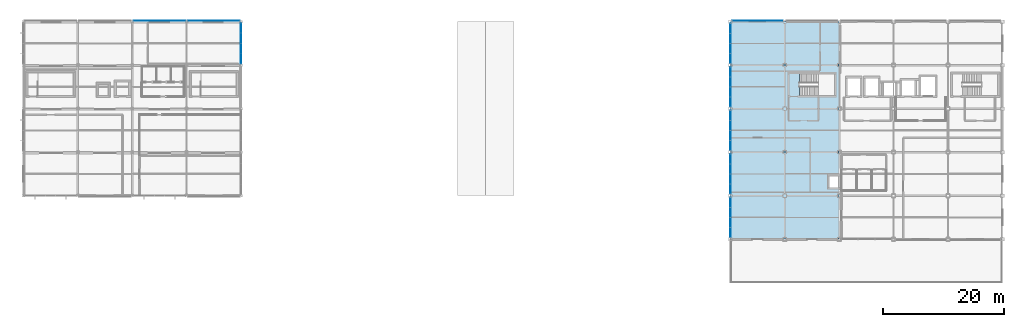
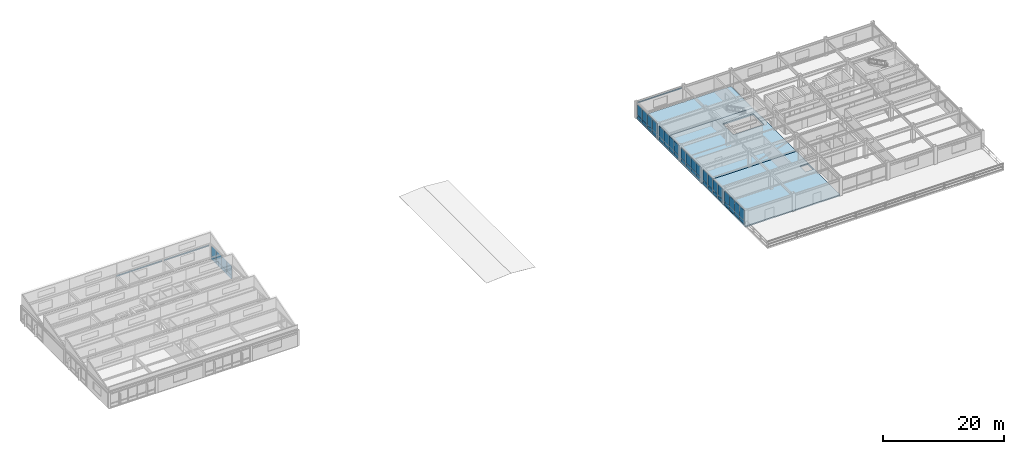
# One storey, part 33 of 43: 51 plates, 3 slabs, 6 elements without a shape of their own.
"""IFC4 building model written with IfcOpenShell, lengths in metres."""

from ifc_helpers import new_model, si_unit, direction, frame, origin, origin_2d, place, context, subcontext, project, spatial, polyline, rectangle, outline, extrude, material, layer, layer_set, type_object, element, aggregate, save


model = new_model("IFC4")

# Units and contexts
model_context = context("Model", 3, precision=1e-05, world=origin(), true_north=direction((0.0, 1.0)))
body_context = subcontext(model_context, "Body", "Model", "MODEL_VIEW")
ifc_project = project(units=[si_unit("LENGTHUNIT", "METRE"), si_unit("AREAUNIT", "SQUARE_METRE"), si_unit("VOLUMEUNIT", "CUBIC_METRE"), si_unit("PLANEANGLEUNIT", "RADIAN"), si_unit("MASSUNIT", "GRAM", prefix="KILO")], contexts=[model_context])

# Site, building, storey
site_placement = place(None, origin())
site = spatial("IfcSite", under=ifc_project, at=site_placement, CompositionType="ELEMENT")
building_placement = place(site_placement, origin())
building = spatial("IfcBuilding", under=site, at=building_placement, Name="Kazanami Central Library", CompositionType="ELEMENT")
storey_placement = place(building_placement, frame((0.0, 0.0, 20.60009765625)))
storey = spatial("IfcBuildingStorey", under=building, at=storey_placement, Name="L06", CompositionType="ELEMENT", Elevation=20.60009765625)

# Curtain wall, plates
ifc_material_1 = material(Name="Acid-Etched Low-E Laminated Glass", Category="glass")
curtain_wall_type_1 = type_object("IfcCurtainWallType", Name="CW-6850x2780-M180", PredefinedType="USERDEFINED", material=ifc_material_1)
curtain_wall_1_placement = place(storey_placement, origin())
curtain_wall_1 = element("IfcCurtainWall", 1, at=curtain_wall_1_placement, inside=storey, type_object=curtain_wall_type_1, Name="Covered Link Bridge Curtain Wall CW-58 L06 E-5-12", ObjectType="UNITISED CURTAIN WALL", PredefinedType="USERDEFINED")
ifc_material_2 = material(Name="Low-E Insulated Triple Glass", Category="glass")
ifc_layer_1 = layer(ifc_material_2, 0.0400390625, Name="Low-E Insulated Triple Glass")
ifc_layer_set_1 = layer_set([ifc_layer_1], Name="Low-E Insulated Triple Glass")
plate_type_1 = type_object("IfcPlateType", Name="PLT-CW-P3", PredefinedType="CURTAIN_PANEL", material=ifc_layer_set_1)
plate_1_placement = place(storey_placement, frame((36.0, 92.5537109375, 0.81005859375), z_axis=(0.0, 0.0, 1.0), x_axis=(0.0, -1.0, 0.0)))
plate_1 = element("IfcPlate", 2, at=plate_1_placement, type_object=plate_type_1, Name="CW-58 panel 1.2", PredefinedType="CURTAIN_PANEL", context=body_context, shape_type="SweptSolid", body=[
    extrude(rectangle(XDim=1.62255859375, YDim=0.0400390625, at=origin_2d()), origin(), (0.0, 0.0, 1.0), 1.909912109375),
])
plate_2_placement = place(storey_placement, frame((36.0, 90.856201171875, 0.81005859375), z_axis=(0.0, 0.0, 1.0), x_axis=(0.0, -1.0, 0.0)))
plate_2 = element("IfcPlate", 3, at=plate_2_placement, type_object=plate_type_1, Name="CW-58 panel 2.2", PredefinedType="CURTAIN_PANEL", context=body_context, shape_type="SweptSolid", body=[
    extrude(rectangle(XDim=1.652587890625, YDim=0.0400390625, at=origin_2d()), origin(), (0.0, 0.0, 1.0), 1.909912109375),
])
plate_3_placement = place(storey_placement, frame((36.0, 89.143798828125, 0.81005859375), z_axis=(0.0, 0.0, 1.0), x_axis=(0.0, -1.0, 0.0)))
plate_3 = element("IfcPlate", 4, at=plate_3_placement, type_object=plate_type_1, Name="CW-58 panel 3.2", PredefinedType="CURTAIN_PANEL", context=body_context, shape_type="SweptSolid", body=[
    extrude(rectangle(XDim=1.652587890625, YDim=0.0400390625, at=origin_2d()), origin(), (0.0, 0.0, 1.0), 1.909912109375),
])
plate_4_placement = place(storey_placement, frame((36.0, 87.4462890625, 0.81005859375), z_axis=(0.0, 0.0, 1.0), x_axis=(0.0, -1.0, 0.0)))
plate_4 = element("IfcPlate", 5, at=plate_4_placement, type_object=plate_type_1, Name="CW-58 panel 4.2", PredefinedType="CURTAIN_PANEL", context=body_context, shape_type="SweptSolid", body=[
    extrude(rectangle(XDim=1.62255859375, YDim=0.0400390625, at=origin_2d()), origin(), (0.0, 0.0, 1.0), 1.909912109375),
])

curtain_wall_type_2 = type_object("IfcCurtainWallType", Name="CW-6650x2960-M180", PredefinedType="USERDEFINED", material=ifc_material_1)
curtain_wall_2_placement = place(storey_placement, origin())
curtain_wall_2 = element("IfcCurtainWall", 6, at=curtain_wall_2_placement, inside=storey, type_object=curtain_wall_type_2, Name="Covered Link Bridge Curtain Wall CW-59 L06 W-14-08", ObjectType="UNITISED CURTAIN WALL", PredefinedType="USERDEFINED")
plate_5_placement = place(storey_placement, frame((117.0, 58.72119140625, 0.81005859375), z_axis=(0.0, 0.0, 1.0), x_axis=(0.0, 1.0, 0.0)))
plate_5 = element("IfcPlate", 7, at=plate_5_placement, type_object=plate_type_1, Name="CW-59 panel 1.2", PredefinedType="CURTAIN_PANEL", context=body_context, shape_type="SweptSolid", body=[
    extrude(rectangle(XDim=1.572509765625, YDim=0.0400390625, at=origin_2d()), origin(), (0.0, 0.0, 1.0), 2.090087890625),
])
plate_6_placement = place(storey_placement, frame((117.0, 60.36865234375, 0.81005859375), z_axis=(0.0, 0.0, 1.0), x_axis=(0.0, 1.0, 0.0)))
plate_6 = element("IfcPlate", 8, at=plate_6_placement, type_object=plate_type_1, Name="CW-59 panel 2.2", PredefinedType="CURTAIN_PANEL", context=body_context, shape_type="SweptSolid", body=[
    extrude(rectangle(XDim=1.6025390625, YDim=0.0400390625, at=origin_2d()), origin(), (0.0, 0.0, 1.0), 2.090087890625),
])
plate_7_placement = place(storey_placement, frame((117.0, 62.03125, 0.81005859375), z_axis=(0.0, 0.0, 1.0), x_axis=(0.0, 1.0, 0.0)))
plate_7 = element("IfcPlate", 9, at=plate_7_placement, type_object=plate_type_1, Name="CW-59 panel 3.2", PredefinedType="CURTAIN_PANEL", context=body_context, shape_type="SweptSolid", body=[
    extrude(rectangle(XDim=1.6025390625, YDim=0.0400390625, at=origin_2d()), origin(), (0.0, 0.0, 1.0), 2.090087890625),
])
plate_8_placement = place(storey_placement, frame((117.0, 63.6787109375, 0.81005859375), z_axis=(0.0, 0.0, 1.0), x_axis=(0.0, 1.0, 0.0)))
plate_8 = element("IfcPlate", 10, at=plate_8_placement, type_object=plate_type_1, Name="CW-59 panel 4.2", PredefinedType="CURTAIN_PANEL", context=body_context, shape_type="SweptSolid", body=[
    extrude(rectangle(XDim=1.572509765625, YDim=0.0400390625, at=origin_2d()), origin(), (0.0, 0.0, 1.0), 2.090087890625),
])

curtain_wall_3_placement = place(storey_placement, origin())
curtain_wall_3 = element("IfcCurtainWall", 11, at=curtain_wall_3_placement, inside=storey, type_object=curtain_wall_type_2, Name="Covered Link Bridge Curtain Wall CW-59 L06 W-14-09", ObjectType="UNITISED CURTAIN WALL", PredefinedType="USERDEFINED")
plate_9_placement = place(storey_placement, frame((117.0, 65.921142578125, 0.81005859375), z_axis=(0.0, 0.0, 1.0), x_axis=(0.0, 1.0, 0.0)))
plate_9 = element("IfcPlate", 12, at=plate_9_placement, type_object=plate_type_1, Name="CW-59 panel 1.2", PredefinedType="CURTAIN_PANEL", context=body_context, shape_type="SweptSolid", body=[
    extrude(rectangle(XDim=1.572509765625, YDim=0.0400390625, at=origin_2d()), origin(), (0.0, 0.0, 1.0), 2.090087890625),
])
plate_10_placement = place(storey_placement, frame((117.0, 67.56884765625, 0.81005859375), z_axis=(0.0, 0.0, 1.0), x_axis=(0.0, 1.0, 0.0)))
plate_10 = element("IfcPlate", 13, at=plate_10_placement, type_object=plate_type_1, Name="CW-59 panel 2.2", PredefinedType="CURTAIN_PANEL", context=body_context, shape_type="SweptSolid", body=[
    extrude(rectangle(XDim=1.6025390625, YDim=0.0400390625, at=origin_2d()), origin(), (0.0, 0.0, 1.0), 2.090087890625),
])
plate_11_placement = place(storey_placement, frame((117.0, 69.231201171875, 0.81005859375), z_axis=(0.0, 0.0, 1.0), x_axis=(0.0, 1.0, 0.0)))
plate_11 = element("IfcPlate", 14, at=plate_11_placement, type_object=plate_type_1, Name="CW-59 panel 3.2", PredefinedType="CURTAIN_PANEL", context=body_context, shape_type="SweptSolid", body=[
    extrude(rectangle(XDim=1.6025390625, YDim=0.0400390625, at=origin_2d()), origin(), (0.0, 0.0, 1.0), 2.090087890625),
])
plate_12_placement = place(storey_placement, frame((117.0, 70.878662109375, 0.81005859375), z_axis=(0.0, 0.0, 1.0), x_axis=(0.0, 1.0, 0.0)))
plate_12 = element("IfcPlate", 15, at=plate_12_placement, type_object=plate_type_1, Name="CW-59 panel 4.2", PredefinedType="CURTAIN_PANEL", context=body_context, shape_type="SweptSolid", body=[
    extrude(rectangle(XDim=1.572509765625, YDim=0.0400390625, at=origin_2d()), origin(), (0.0, 0.0, 1.0), 2.090087890625),
])

curtain_wall_4_placement = place(storey_placement, origin())
curtain_wall_4 = element("IfcCurtainWall", 16, at=curtain_wall_4_placement, inside=storey, type_object=curtain_wall_type_2, Name="Covered Link Bridge Curtain Wall CW-59 L06 W-14-10", ObjectType="UNITISED CURTAIN WALL", PredefinedType="USERDEFINED")
plate_13_placement = place(storey_placement, frame((117.0, 73.121337890625, 0.81005859375), z_axis=(0.0, 0.0, 1.0), x_axis=(0.0, 1.0, 0.0)))
plate_13 = element("IfcPlate", 17, at=plate_13_placement, type_object=plate_type_1, Name="CW-59 panel 1.2", PredefinedType="CURTAIN_PANEL", context=body_context, shape_type="SweptSolid", body=[
    extrude(rectangle(XDim=1.572509765625, YDim=0.0400390625, at=origin_2d()), origin(), (0.0, 0.0, 1.0), 2.090087890625),
])
plate_14_placement = place(storey_placement, frame((117.0, 74.768798828125, 0.81005859375), z_axis=(0.0, 0.0, 1.0), x_axis=(0.0, 1.0, 0.0)))
plate_14 = element("IfcPlate", 18, at=plate_14_placement, type_object=plate_type_1, Name="CW-59 panel 2.2", PredefinedType="CURTAIN_PANEL", context=body_context, shape_type="SweptSolid", body=[
    extrude(rectangle(XDim=1.6025390625, YDim=0.0400390625, at=origin_2d()), origin(), (0.0, 0.0, 1.0), 2.090087890625),
])
plate_15_placement = place(storey_placement, frame((117.0, 76.43115234375, 0.81005859375), z_axis=(0.0, 0.0, 1.0), x_axis=(0.0, 1.0, 0.0)))
plate_15 = element("IfcPlate", 19, at=plate_15_placement, type_object=plate_type_1, Name="CW-59 panel 3.2", PredefinedType="CURTAIN_PANEL", context=body_context, shape_type="SweptSolid", body=[
    extrude(rectangle(XDim=1.6025390625, YDim=0.0400390625, at=origin_2d()), origin(), (0.0, 0.0, 1.0), 2.090087890625),
])
plate_16_placement = place(storey_placement, frame((117.0, 78.078857421875, 0.81005859375), z_axis=(0.0, 0.0, 1.0), x_axis=(0.0, 1.0, 0.0)))
plate_16 = element("IfcPlate", 20, at=plate_16_placement, type_object=plate_type_1, Name="CW-59 panel 4.2", PredefinedType="CURTAIN_PANEL", context=body_context, shape_type="SweptSolid", body=[
    extrude(rectangle(XDim=1.572509765625, YDim=0.0400390625, at=origin_2d()), origin(), (0.0, 0.0, 1.0), 2.090087890625),
])

curtain_wall_5_placement = place(storey_placement, origin())
curtain_wall_5 = element("IfcCurtainWall", 21, at=curtain_wall_5_placement, inside=storey, type_object=curtain_wall_type_2, Name="Covered Link Bridge Curtain Wall CW-59 L06 W-14-11", ObjectType="UNITISED CURTAIN WALL", PredefinedType="USERDEFINED")
plate_17_placement = place(storey_placement, frame((117.0, 80.3212890625, 0.81005859375), z_axis=(0.0, 0.0, 1.0), x_axis=(0.0, 1.0, 0.0)))
plate_17 = element("IfcPlate", 22, at=plate_17_placement, type_object=plate_type_1, Name="CW-59 panel 1.2", PredefinedType="CURTAIN_PANEL", context=body_context, shape_type="SweptSolid", body=[
    extrude(rectangle(XDim=1.572509765625, YDim=0.0400390625, at=origin_2d()), origin(), (0.0, 0.0, 1.0), 2.090087890625),
])
plate_18_placement = place(storey_placement, frame((117.0, 81.96875, 0.81005859375), z_axis=(0.0, 0.0, 1.0), x_axis=(0.0, 1.0, 0.0)))
plate_18 = element("IfcPlate", 23, at=plate_18_placement, type_object=plate_type_1, Name="CW-59 panel 2.2", PredefinedType="CURTAIN_PANEL", context=body_context, shape_type="SweptSolid", body=[
    extrude(rectangle(XDim=1.6025390625, YDim=0.0400390625, at=origin_2d()), origin(), (0.0, 0.0, 1.0), 2.090087890625),
])
plate_19_placement = place(storey_placement, frame((117.0, 83.63134765625, 0.81005859375), z_axis=(0.0, 0.0, 1.0), x_axis=(0.0, 1.0, 0.0)))
plate_19 = element("IfcPlate", 24, at=plate_19_placement, type_object=plate_type_1, Name="CW-59 panel 3.2", PredefinedType="CURTAIN_PANEL", context=body_context, shape_type="SweptSolid", body=[
    extrude(rectangle(XDim=1.6025390625, YDim=0.0400390625, at=origin_2d()), origin(), (0.0, 0.0, 1.0), 2.090087890625),
])
plate_20_placement = place(storey_placement, frame((117.0, 85.27880859375, 0.81005859375), z_axis=(0.0, 0.0, 1.0), x_axis=(0.0, 1.0, 0.0)))
plate_20 = element("IfcPlate", 25, at=plate_20_placement, type_object=plate_type_1, Name="CW-59 panel 4.2", PredefinedType="CURTAIN_PANEL", context=body_context, shape_type="SweptSolid", body=[
    extrude(rectangle(XDim=1.572509765625, YDim=0.0400390625, at=origin_2d()), origin(), (0.0, 0.0, 1.0), 2.090087890625),
])

curtain_wall_6_placement = place(storey_placement, origin())
curtain_wall_6 = element("IfcCurtainWall", 26, at=curtain_wall_6_placement, inside=storey, type_object=curtain_wall_type_2, Name="Covered Link Bridge Curtain Wall CW-59 L06 W-14-12", ObjectType="UNITISED CURTAIN WALL", PredefinedType="USERDEFINED")
plate_21_placement = place(storey_placement, frame((117.0, 87.521240234375, 0.81005859375), z_axis=(0.0, 0.0, 1.0), x_axis=(0.0, 1.0, 0.0)))
plate_21 = element("IfcPlate", 27, at=plate_21_placement, type_object=plate_type_1, Name="CW-59 panel 1.2", PredefinedType="CURTAIN_PANEL", context=body_context, shape_type="SweptSolid", body=[
    extrude(rectangle(XDim=1.572509765625, YDim=0.0400390625, at=origin_2d()), origin(), (0.0, 0.0, 1.0), 2.090087890625),
])
plate_22_placement = place(storey_placement, frame((117.0, 89.168701171875, 0.81005859375), z_axis=(0.0, 0.0, 1.0), x_axis=(0.0, 1.0, 0.0)))
plate_22 = element("IfcPlate", 28, at=plate_22_placement, type_object=plate_type_1, Name="CW-59 panel 2.2", PredefinedType="CURTAIN_PANEL", context=body_context, shape_type="SweptSolid", body=[
    extrude(rectangle(XDim=1.6025390625, YDim=0.0400390625, at=origin_2d()), origin(), (0.0, 0.0, 1.0), 2.090087890625),
])
plate_23_placement = place(storey_placement, frame((117.0, 90.831298828125, 0.81005859375), z_axis=(0.0, 0.0, 1.0), x_axis=(0.0, 1.0, 0.0)))
plate_23 = element("IfcPlate", 29, at=plate_23_placement, type_object=plate_type_1, Name="CW-59 panel 3.2", PredefinedType="CURTAIN_PANEL", context=body_context, shape_type="SweptSolid", body=[
    extrude(rectangle(XDim=1.6025390625, YDim=0.0400390625, at=origin_2d()), origin(), (0.0, 0.0, 1.0), 2.090087890625),
])
plate_24_placement = place(storey_placement, frame((117.0, 92.478759765625, 0.81005859375), z_axis=(0.0, 0.0, 1.0), x_axis=(0.0, 1.0, 0.0)))
plate_24 = element("IfcPlate", 30, at=plate_24_placement, type_object=plate_type_1, Name="CW-59 panel 4.2", PredefinedType="CURTAIN_PANEL", context=body_context, shape_type="SweptSolid", body=[
    extrude(rectangle(XDim=1.572509765625, YDim=0.0400390625, at=origin_2d()), origin(), (0.0, 0.0, 1.0), 2.090087890625),
])

# Plate
ifc_material_3 = material(Name="Anodised Aluminium A5052-H32", Category="aluminium")
ifc_layer_2 = layer(ifc_material_3, 0.052001953125, Name="Anodised Aluminium A5052-H32")
ifc_layer_set_2 = layer_set([ifc_layer_2], Name="Anodised Aluminium A5052-H32")
plate_type_2 = type_object("IfcPlateType", Name="PLT-CW-SP2", PredefinedType="CURTAIN_PANEL", material=ifc_layer_set_2)
plate_25_placement = place(storey_placement, frame((36.0, 92.5537109375, 0.059814453125), z_axis=(0.0, 0.0, 1.0), x_axis=(0.0, -1.0, 0.0)))
plate_25 = element("IfcPlate", 31, at=plate_25_placement, type_object=plate_type_2, Name="CW-58 panel 1.1", PredefinedType="CURTAIN_PANEL", context=body_context, shape_type="SweptSolid", body=[
    extrude(rectangle(XDim=1.62255859375, YDim=0.052001953125, at=origin_2d()), origin(), (0.0, 0.0, 1.0), 0.68994140625),
])

plate_26_placement = place(storey_placement, frame((36.0, 90.856201171875, 0.059814453125), z_axis=(0.0, 0.0, 1.0), x_axis=(0.0, -1.0, 0.0)))
plate_26 = element("IfcPlate", 32, at=plate_26_placement, type_object=plate_type_2, Name="CW-58 panel 2.1", PredefinedType="CURTAIN_PANEL", context=body_context, shape_type="SweptSolid", body=[
    extrude(rectangle(XDim=1.652587890625, YDim=0.052001953125, at=origin_2d()), origin(), (0.0, 0.0, 1.0), 0.68994140625),
])

plate_27_placement = place(storey_placement, frame((36.0, 89.143798828125, 0.059814453125), z_axis=(0.0, 0.0, 1.0), x_axis=(0.0, -1.0, 0.0)))
plate_27 = element("IfcPlate", 33, at=plate_27_placement, type_object=plate_type_2, Name="CW-58 panel 3.1", PredefinedType="CURTAIN_PANEL", context=body_context, shape_type="SweptSolid", body=[
    extrude(rectangle(XDim=1.652587890625, YDim=0.052001953125, at=origin_2d()), origin(), (0.0, 0.0, 1.0), 0.68994140625),
])

plate_28_placement = place(storey_placement, frame((36.0, 87.4462890625, 0.059814453125), z_axis=(0.0, 0.0, 1.0), x_axis=(0.0, -1.0, 0.0)))
plate_28 = element("IfcPlate", 34, at=plate_28_placement, type_object=plate_type_2, Name="CW-58 panel 4.1", PredefinedType="CURTAIN_PANEL", context=body_context, shape_type="SweptSolid", body=[
    extrude(rectangle(XDim=1.62255859375, YDim=0.052001953125, at=origin_2d()), origin(), (0.0, 0.0, 1.0), 0.68994140625),
])

aggregate(curtain_wall_1, [plate_25, plate_1, plate_26, plate_2, plate_27, plate_3, plate_28, plate_4])

plate_29_placement = place(storey_placement, frame((117.0, 58.72119140625, 0.059814453125), z_axis=(0.0, 0.0, 1.0), x_axis=(0.0, 1.0, 0.0)))
plate_29 = element("IfcPlate", 35, at=plate_29_placement, type_object=plate_type_2, Name="CW-59 panel 1.1", PredefinedType="CURTAIN_PANEL", context=body_context, shape_type="SweptSolid", body=[
    extrude(rectangle(XDim=1.572509765625, YDim=0.052001953125, at=origin_2d()), origin(), (0.0, 0.0, 1.0), 0.68994140625),
])

plate_30_placement = place(storey_placement, frame((117.0, 60.36865234375, 0.059814453125), z_axis=(0.0, 0.0, 1.0), x_axis=(0.0, 1.0, 0.0)))
plate_30 = element("IfcPlate", 36, at=plate_30_placement, type_object=plate_type_2, Name="CW-59 panel 2.1", PredefinedType="CURTAIN_PANEL", context=body_context, shape_type="SweptSolid", body=[
    extrude(rectangle(XDim=1.6025390625, YDim=0.052001953125, at=origin_2d()), origin(), (0.0, 0.0, 1.0), 0.68994140625),
])

plate_31_placement = place(storey_placement, frame((117.0, 62.03125, 0.059814453125), z_axis=(0.0, 0.0, 1.0), x_axis=(0.0, 1.0, 0.0)))
plate_31 = element("IfcPlate", 37, at=plate_31_placement, type_object=plate_type_2, Name="CW-59 panel 3.1", PredefinedType="CURTAIN_PANEL", context=body_context, shape_type="SweptSolid", body=[
    extrude(rectangle(XDim=1.6025390625, YDim=0.052001953125, at=origin_2d()), origin(), (0.0, 0.0, 1.0), 0.68994140625),
])

plate_32_placement = place(storey_placement, frame((117.0, 63.6787109375, 0.059814453125), z_axis=(0.0, 0.0, 1.0), x_axis=(0.0, 1.0, 0.0)))
plate_32 = element("IfcPlate", 38, at=plate_32_placement, type_object=plate_type_2, Name="CW-59 panel 4.1", PredefinedType="CURTAIN_PANEL", context=body_context, shape_type="SweptSolid", body=[
    extrude(rectangle(XDim=1.572509765625, YDim=0.052001953125, at=origin_2d()), origin(), (0.0, 0.0, 1.0), 0.68994140625),
])

aggregate(curtain_wall_2, [plate_29, plate_5, plate_30, plate_6, plate_31, plate_7, plate_32, plate_8])

plate_33_placement = place(storey_placement, frame((117.0, 65.921142578125, 0.059814453125), z_axis=(0.0, 0.0, 1.0), x_axis=(0.0, 1.0, 0.0)))
plate_33 = element("IfcPlate", 39, at=plate_33_placement, type_object=plate_type_2, Name="CW-59 panel 1.1", PredefinedType="CURTAIN_PANEL", context=body_context, shape_type="SweptSolid", body=[
    extrude(rectangle(XDim=1.572509765625, YDim=0.052001953125, at=origin_2d()), origin(), (0.0, 0.0, 1.0), 0.68994140625),
])

plate_34_placement = place(storey_placement, frame((117.0, 67.56884765625, 0.059814453125), z_axis=(0.0, 0.0, 1.0), x_axis=(0.0, 1.0, 0.0)))
plate_34 = element("IfcPlate", 40, at=plate_34_placement, type_object=plate_type_2, Name="CW-59 panel 2.1", PredefinedType="CURTAIN_PANEL", context=body_context, shape_type="SweptSolid", body=[
    extrude(rectangle(XDim=1.6025390625, YDim=0.052001953125, at=origin_2d()), origin(), (0.0, 0.0, 1.0), 0.68994140625),
])

plate_35_placement = place(storey_placement, frame((117.0, 69.231201171875, 0.059814453125), z_axis=(0.0, 0.0, 1.0), x_axis=(0.0, 1.0, 0.0)))
plate_35 = element("IfcPlate", 41, at=plate_35_placement, type_object=plate_type_2, Name="CW-59 panel 3.1", PredefinedType="CURTAIN_PANEL", context=body_context, shape_type="SweptSolid", body=[
    extrude(rectangle(XDim=1.6025390625, YDim=0.052001953125, at=origin_2d()), origin(), (0.0, 0.0, 1.0), 0.68994140625),
])

plate_36_placement = place(storey_placement, frame((117.0, 70.878662109375, 0.059814453125), z_axis=(0.0, 0.0, 1.0), x_axis=(0.0, 1.0, 0.0)))
plate_36 = element("IfcPlate", 42, at=plate_36_placement, type_object=plate_type_2, Name="CW-59 panel 4.1", PredefinedType="CURTAIN_PANEL", context=body_context, shape_type="SweptSolid", body=[
    extrude(rectangle(XDim=1.572509765625, YDim=0.052001953125, at=origin_2d()), origin(), (0.0, 0.0, 1.0), 0.68994140625),
])

aggregate(curtain_wall_3, [plate_33, plate_9, plate_34, plate_10, plate_35, plate_11, plate_36, plate_12])

plate_37_placement = place(storey_placement, frame((117.0, 73.121337890625, 0.059814453125), z_axis=(0.0, 0.0, 1.0), x_axis=(0.0, 1.0, 0.0)))
plate_37 = element("IfcPlate", 43, at=plate_37_placement, type_object=plate_type_2, Name="CW-59 panel 1.1", PredefinedType="CURTAIN_PANEL", context=body_context, shape_type="SweptSolid", body=[
    extrude(rectangle(XDim=1.572509765625, YDim=0.052001953125, at=origin_2d()), origin(), (0.0, 0.0, 1.0), 0.68994140625),
])

plate_38_placement = place(storey_placement, frame((117.0, 74.768798828125, 0.059814453125), z_axis=(0.0, 0.0, 1.0), x_axis=(0.0, 1.0, 0.0)))
plate_38 = element("IfcPlate", 44, at=plate_38_placement, type_object=plate_type_2, Name="CW-59 panel 2.1", PredefinedType="CURTAIN_PANEL", context=body_context, shape_type="SweptSolid", body=[
    extrude(rectangle(XDim=1.6025390625, YDim=0.052001953125, at=origin_2d()), origin(), (0.0, 0.0, 1.0), 0.68994140625),
])

plate_39_placement = place(storey_placement, frame((117.0, 76.43115234375, 0.059814453125), z_axis=(0.0, 0.0, 1.0), x_axis=(0.0, 1.0, 0.0)))
plate_39 = element("IfcPlate", 45, at=plate_39_placement, type_object=plate_type_2, Name="CW-59 panel 3.1", PredefinedType="CURTAIN_PANEL", context=body_context, shape_type="SweptSolid", body=[
    extrude(rectangle(XDim=1.6025390625, YDim=0.052001953125, at=origin_2d()), origin(), (0.0, 0.0, 1.0), 0.68994140625),
])

plate_40_placement = place(storey_placement, frame((117.0, 78.078857421875, 0.059814453125), z_axis=(0.0, 0.0, 1.0), x_axis=(0.0, 1.0, 0.0)))
plate_40 = element("IfcPlate", 46, at=plate_40_placement, type_object=plate_type_2, Name="CW-59 panel 4.1", PredefinedType="CURTAIN_PANEL", context=body_context, shape_type="SweptSolid", body=[
    extrude(rectangle(XDim=1.572509765625, YDim=0.052001953125, at=origin_2d()), origin(), (0.0, 0.0, 1.0), 0.68994140625),
])

aggregate(curtain_wall_4, [plate_37, plate_13, plate_38, plate_14, plate_39, plate_15, plate_40, plate_16])

plate_41_placement = place(storey_placement, frame((117.0, 80.3212890625, 0.059814453125), z_axis=(0.0, 0.0, 1.0), x_axis=(0.0, 1.0, 0.0)))
plate_41 = element("IfcPlate", 47, at=plate_41_placement, type_object=plate_type_2, Name="CW-59 panel 1.1", PredefinedType="CURTAIN_PANEL", context=body_context, shape_type="SweptSolid", body=[
    extrude(rectangle(XDim=1.572509765625, YDim=0.052001953125, at=origin_2d()), origin(), (0.0, 0.0, 1.0), 0.68994140625),
])

plate_42_placement = place(storey_placement, frame((117.0, 81.96875, 0.059814453125), z_axis=(0.0, 0.0, 1.0), x_axis=(0.0, 1.0, 0.0)))
plate_42 = element("IfcPlate", 48, at=plate_42_placement, type_object=plate_type_2, Name="CW-59 panel 2.1", PredefinedType="CURTAIN_PANEL", context=body_context, shape_type="SweptSolid", body=[
    extrude(rectangle(XDim=1.6025390625, YDim=0.052001953125, at=origin_2d()), origin(), (0.0, 0.0, 1.0), 0.68994140625),
])

plate_43_placement = place(storey_placement, frame((117.0, 83.63134765625, 0.059814453125), z_axis=(0.0, 0.0, 1.0), x_axis=(0.0, 1.0, 0.0)))
plate_43 = element("IfcPlate", 49, at=plate_43_placement, type_object=plate_type_2, Name="CW-59 panel 3.1", PredefinedType="CURTAIN_PANEL", context=body_context, shape_type="SweptSolid", body=[
    extrude(rectangle(XDim=1.6025390625, YDim=0.052001953125, at=origin_2d()), origin(), (0.0, 0.0, 1.0), 0.68994140625),
])

plate_44_placement = place(storey_placement, frame((117.0, 85.27880859375, 0.059814453125), z_axis=(0.0, 0.0, 1.0), x_axis=(0.0, 1.0, 0.0)))
plate_44 = element("IfcPlate", 50, at=plate_44_placement, type_object=plate_type_2, Name="CW-59 panel 4.1", PredefinedType="CURTAIN_PANEL", context=body_context, shape_type="SweptSolid", body=[
    extrude(rectangle(XDim=1.572509765625, YDim=0.052001953125, at=origin_2d()), origin(), (0.0, 0.0, 1.0), 0.68994140625),
])

aggregate(curtain_wall_5, [plate_41, plate_17, plate_42, plate_18, plate_43, plate_19, plate_44, plate_20])

plate_45_placement = place(storey_placement, frame((117.0, 87.521240234375, 0.059814453125), z_axis=(0.0, 0.0, 1.0), x_axis=(0.0, 1.0, 0.0)))
plate_45 = element("IfcPlate", 51, at=plate_45_placement, type_object=plate_type_2, Name="CW-59 panel 1.1", PredefinedType="CURTAIN_PANEL", context=body_context, shape_type="SweptSolid", body=[
    extrude(rectangle(XDim=1.572509765625, YDim=0.052001953125, at=origin_2d()), origin(), (0.0, 0.0, 1.0), 0.68994140625),
])

plate_46_placement = place(storey_placement, frame((117.0, 89.168701171875, 0.059814453125), z_axis=(0.0, 0.0, 1.0), x_axis=(0.0, 1.0, 0.0)))
plate_46 = element("IfcPlate", 52, at=plate_46_placement, type_object=plate_type_2, Name="CW-59 panel 2.1", PredefinedType="CURTAIN_PANEL", context=body_context, shape_type="SweptSolid", body=[
    extrude(rectangle(XDim=1.6025390625, YDim=0.052001953125, at=origin_2d()), origin(), (0.0, 0.0, 1.0), 0.68994140625),
])

plate_47_placement = place(storey_placement, frame((117.0, 90.831298828125, 0.059814453125), z_axis=(0.0, 0.0, 1.0), x_axis=(0.0, 1.0, 0.0)))
plate_47 = element("IfcPlate", 53, at=plate_47_placement, type_object=plate_type_2, Name="CW-59 panel 3.1", PredefinedType="CURTAIN_PANEL", context=body_context, shape_type="SweptSolid", body=[
    extrude(rectangle(XDim=1.6025390625, YDim=0.052001953125, at=origin_2d()), origin(), (0.0, 0.0, 1.0), 0.68994140625),
])

plate_48_placement = place(storey_placement, frame((117.0, 92.478759765625, 0.059814453125), z_axis=(0.0, 0.0, 1.0), x_axis=(0.0, 1.0, 0.0)))
plate_48 = element("IfcPlate", 54, at=plate_48_placement, type_object=plate_type_2, Name="CW-59 panel 4.1", PredefinedType="CURTAIN_PANEL", context=body_context, shape_type="SweptSolid", body=[
    extrude(rectangle(XDim=1.572509765625, YDim=0.052001953125, at=origin_2d()), origin(), (0.0, 0.0, 1.0), 0.68994140625),
])

aggregate(curtain_wall_6, [plate_45, plate_21, plate_46, plate_22, plate_47, plate_23, plate_48, plate_24])

# Plates
ifc_layer_3 = layer(ifc_material_3, 0.011962890625, Name="Anodised Aluminium A5052-H32")
ifc_layer_set_3 = layer_set([ifc_layer_3], Name="Anodised Aluminium A5052-H32")
plate_type_3 = type_object("IfcPlateType", Name="PLT-SPN-12", PredefinedType="SHEET", material=ifc_layer_set_3)
plate_49_placement = place(storey_placement, frame((121.5, 93.74609375, 2.64990234375), z_axis=(0.0, 0.0, 1.0), x_axis=(-1.0, 0.0, 0.0)))
element("IfcPlate", 55, at=plate_49_placement, inside=storey, type_object=plate_type_3, Name="Architectural Spandrel Sheet SPN-12 L06 N-O-13", PredefinedType="SHEET", context=body_context, shape_type="SweptSolid", body=[
    extrude(rectangle(XDim=8.35009765625, YDim=0.011962890625, at=origin_2d()), origin(), (0.0, 0.0, 1.0), 0.300048828125),
])
ifc_layer_4 = layer(ifc_material_3, 0.013916015625, Name="Anodised Aluminium A5052-H32")
ifc_layer_set_4 = layer_set([ifc_layer_4], Name="Anodised Aluminium A5052-H32")
plate_type_4 = type_object("IfcPlateType", Name="PLT-SPN-14", PredefinedType="SHEET", material=ifc_layer_set_4)
plate_50_placement = place(storey_placement, frame((22.5, 93.7470703125, 2.4697265625), z_axis=(0.0, 0.0, 1.0), x_axis=(-1.0, 0.0, 0.0)))
element("IfcPlate", 56, at=plate_50_placement, inside=storey, type_object=plate_type_4, Name="Architectural Spandrel Sheet SPN-14 L06 N-O-02", PredefinedType="SHEET", context=body_context, shape_type="SweptSolid", body=[
    extrude(rectangle(XDim=8.550048828125, YDim=0.013916015625, at=origin_2d()), origin(), (0.0, 0.0, 1.0), 0.300048828125),
])
ifc_layer_5 = layer(ifc_material_3, 0.01611328125, Name="Anodised Aluminium A5052-H32")
ifc_layer_set_5 = layer_set([ifc_layer_5], Name="Anodised Aluminium A5052-H32")
plate_type_5 = type_object("IfcPlateType", Name="PLT-SPN-16", PredefinedType="SHEET", material=ifc_layer_set_5)
plate_51_placement = place(storey_placement, frame((31.5, 93.748046875, 2.4697265625), z_axis=(0.0, 0.0, 1.0), x_axis=(-1.0, 0.0, 0.0)))
element("IfcPlate", 57, at=plate_51_placement, inside=storey, type_object=plate_type_5, Name="Architectural Spandrel Sheet SPN-16 L06 N-O-03", PredefinedType="SHEET", context=body_context, shape_type="SweptSolid", body=[
    extrude(rectangle(XDim=8.550048828125, YDim=0.01611328125, at=origin_2d()), origin(), (0.0, 0.0, 1.0), 0.300048828125),
])

# Slabs
ifc_material_4 = material(Name="Concrete Fc36 (36 MPa)", Category="concrete")
ifc_layer_6 = layer(ifc_material_4, 0.260009765625, Name="Concrete Fc36 (36 MPa)")
ifc_layer_set_6 = layer_set([ifc_layer_6], Name="Concrete Fc36 (36 MPa)")
slab_type = type_object("IfcSlabType", Name="SLB-FLR-260", PredefinedType="FLOOR", material=ifc_layer_set_6)
slab_1_placement = place(storey_placement, frame((0.0, 0.0, -0.260009765625)))
element("IfcSlab", 58, at=slab_1_placement, inside=storey, type_object=slab_type, Name="Composite Floor Slab L06 V2-UPPER Zone 7", PredefinedType="FLOOR", context=body_context, shape_type="SweptSolid", body=[
    extrude(outline(polyline([(117.0, 57.60009765625), (135.0, 57.60009765625), (135.0, 72.0), (117.0, 72.0), (117.0, 57.60009765625)]), holes=[polyline([(133.35009765625, 66.14990234375), (134.85009765625, 66.14990234375), (134.85009765625, 68.050048828125), (133.35009765625, 68.050048828125), (133.35009765625, 66.14990234375)])]), origin(), (0.0, 0.0, 1.0), 0.260009765625),
])
slab_2_placement = place(storey_placement, frame((0.0, 0.0, -0.260009765625)))
element("IfcSlab", 59, at=slab_2_placement, inside=storey, type_object=slab_type, Name="Composite Floor Slab L06 V2-UPPER Zone 8", PredefinedType="FLOOR", context=body_context, shape_type="SweptSolid", body=[
    extrude(outline(polyline([(117.0, 72.0), (135.0, 72.0), (135.0, 86.39990234375), (117.0, 86.39990234375), (117.0, 72.0)]), holes=[polyline([(128.39990234375, 81.375), (134.22509765625, 81.375), (134.22509765625, 84.925048828125), (128.39990234375, 84.925048828125), (128.39990234375, 81.375)])]), origin(), (0.0, 0.0, 1.0), 0.260009765625),
])
slab_3_placement = place(storey_placement, frame((0.0, 0.0, -0.260009765625)))
element("IfcSlab", 60, at=slab_3_placement, inside=storey, type_object=slab_type, Name="Composite Floor Slab L06 V2-UPPER Zone 9", PredefinedType="FLOOR", context=body_context, shape_type="SweptSolid", body=[
    extrude(outline(polyline([(117.0, 86.39990234375), (135.0, 86.39990234375), (135.0, 93.60009765625), (117.0, 93.60009765625), (117.0, 86.39990234375)])), origin(), (0.0, 0.0, 1.0), 0.260009765625),
])

save(model, "model.ifc")
